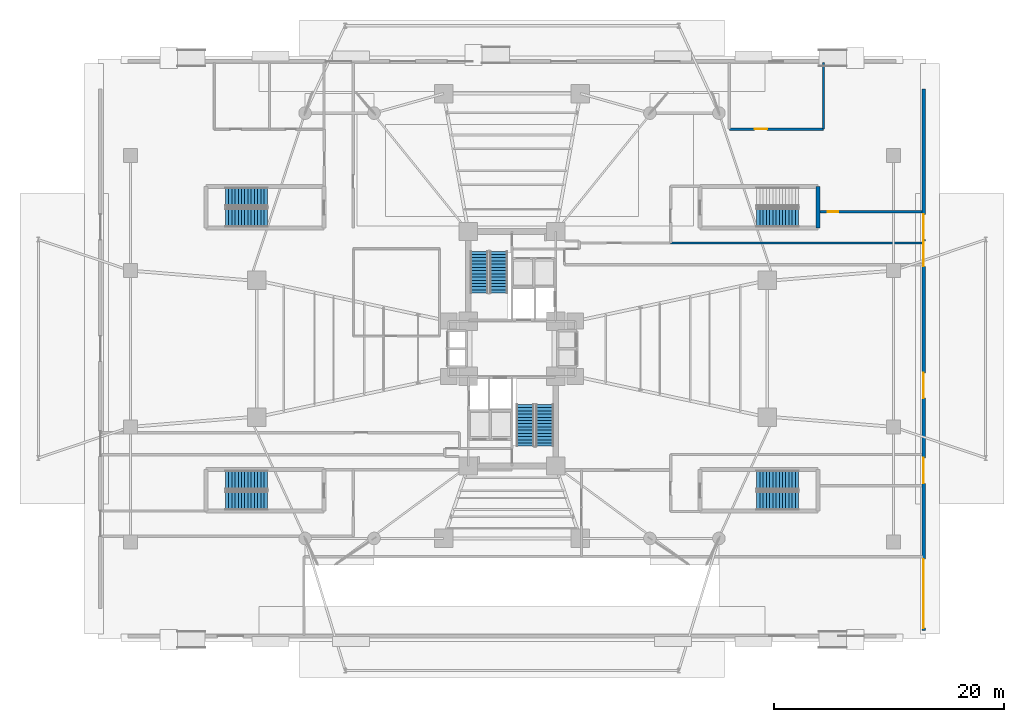
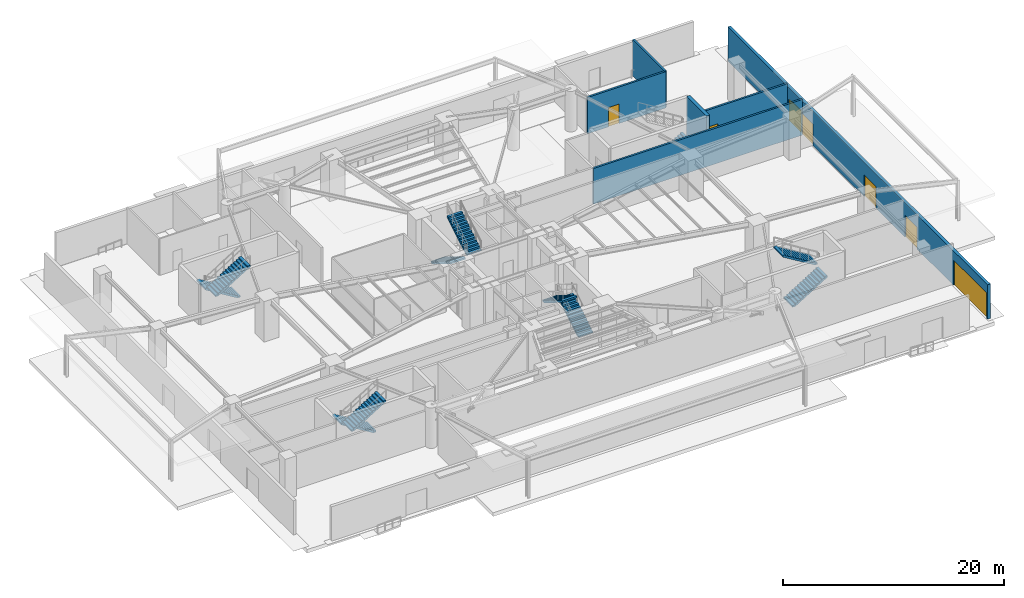
# One storey, part 20 of 31: 11 stair flights, 7 doors, 6 walls, 7 openings, 6 elements without a shape of their own.
"""IFC4 building model written with IfcOpenShell, lengths in metres."""

from ifc_helpers import new_model, si_unit, direction, frame, frame_2d, origin, origin_2d, place, context, subcontext, project, spatial, polyline, rectangle, outline, extrude, source, transform, mapped, material, layer, layer_set, type_object, element, fill, aggregate, save


model = new_model("IFC4")

# Units and contexts
model_context = context("Model", 3, precision=1e-05, world=origin(), true_north=direction((0.0, 1.0)))
body_context = subcontext(model_context, "Body", "Model", "MODEL_VIEW")
ifc_project = project(units=[si_unit("LENGTHUNIT", "METRE"), si_unit("AREAUNIT", "SQUARE_METRE"), si_unit("VOLUMEUNIT", "CUBIC_METRE"), si_unit("PLANEANGLEUNIT", "RADIAN"), si_unit("MASSUNIT", "GRAM", prefix="KILO")], contexts=[model_context])

# Site, building, storey
site_placement = place(None, origin())
site = spatial("IfcSite", under=ifc_project, at=site_placement, CompositionType="ELEMENT")
building_placement = place(site_placement, origin())
building = spatial("IfcBuilding", under=site, at=building_placement, Name="Sahyath Konkavel Grand Hotel", CompositionType="ELEMENT")
storey_placement = place(building_placement, origin())
storey = spatial("IfcBuildingStorey", under=building, at=storey_placement, Name="L00", CompositionType="ELEMENT", Elevation=0.0)

# Wall
ifc_material_1 = material(Name="Concrete C40/50", Category="concrete")
ifc_layer_1 = layer(ifc_material_1, 0.35009765625)
ifc_layer_set_1 = layer_set([ifc_layer_1], Name="Concrete C40/50")
wall_type_1 = type_object("IfcWallType", Name="CWALL-350", PredefinedType="SHEAR", material=ifc_layer_set_1)
wall_1_placement = place(storey_placement, frame((26.60009765625, 10.52001953125, 0.0), z_axis=(0.0, 0.0, 1.0), x_axis=(0.0, 1.0, 0.0)))
element("IfcWall", 1, at=wall_1_placement, inside=storey, type_object=wall_type_1, Name="L00 Partition ST-P2-E", PredefinedType="SHEAR", context=body_context, shape_type="SweptSolid", body=[
    extrude(rectangle(XDim=3.580078125, YDim=0.35009765625, at=frame_2d((1.7900390625, 0.0))), origin(), (0.0, 0.0, 1.0), 4.47998046875),
])

# Wall, opening, door
ifc_layer_2 = layer(ifc_material_1, 0.199951171875)
ifc_layer_set_2 = layer_set([ifc_layer_2], Name="Concrete C40/50")
wall_type_2 = type_object("IfcWallType", Name="WLL-CORE-200", PredefinedType="SOLIDWALL", material=ifc_layer_set_2)
wall_2_placement = place(storey_placement, frame((18.89990234375, 19.10009765625, 0.0), z_axis=(0.0, 0.0, 1.0), x_axis=(1.0, 0.0, 0.0)))
wall_2 = element("IfcWall", 2, at=wall_2_placement, inside=storey, type_object=wall_type_2, Name="L00 Partition FCC-S", PredefinedType="SOLIDWALL", context=body_context, shape_type="SweptSolid", body=[
    extrude(rectangle(XDim=8.2001953125, YDim=0.199951171875, at=frame_2d((4.10009765625, 0.0))), origin(), (0.0, 0.0, 1.0), 4.030029296875),
])
opening_1_placement = place(wall_2_placement, frame((2.199951171875, 0.0, 0.0)))
opening_1 = element("IfcOpeningElement", 3, at=opening_1_placement, cuts=wall_2, Name="Opening D-F12B", PredefinedType="OPENING", context=body_context, shape_type="SweptSolid", body=[
    extrude(rectangle(XDim=1.10009765625, YDim=2.14990234375, at=frame_2d((0.550048828125, 1.074951171875))), frame((0.0, 0.10986328125, 0.0), z_axis=(0.0, -1.0, 0.0), x_axis=(1.0, 0.0, 0.0)), (0.0, 0.0, 1.0), 0.219970703125),
])
ifc_material_2 = material(Name="Steel E350 Smokeproof Fire Door", Category="steel")
door_type_1 = type_object("IfcDoorType", Name="DR-FD120-1100", OperationType="NOTDEFINED", PredefinedType="DOOR", material=ifc_material_2)
shared_shape_1 = source(origin(), body_context, "Body", "SweptSolid", [
    extrude(rectangle(XDim=1.10009765625, YDim=0.050048828125, at=origin_2d()), origin(), (0.0, 0.0, 1.0), 2.14990234375),
])
door_1_placement = place(opening_1_placement, frame((0.550048828125, 0.0, 0.0)))
door_1 = element("IfcDoor", 4, at=door_1_placement, inside=storey, type_object=door_type_1, Name="L00 Fire Command Centre Interior Door", OperationType="SINGLE_SWING_RIGHT", OverallHeight=2.14990234375, OverallWidth=1.10009765625, PredefinedType="DOOR", context=body_context, shape_type="MappedRepresentation", body=[
    mapped(shared_shape_1, transform((0.0, 0.0, 0.0), scale=1.0)),
])
fill(opening_1, door_1)

# Walls
wall_3_placement = place(storey_placement, frame((27.10009765625, 19.10009765625, 0.0), z_axis=(0.0, 0.0, 1.0), x_axis=(0.0, 1.0, 0.0)))
element("IfcWall", 5, at=wall_3_placement, inside=storey, type_object=wall_type_2, Name="L00 Partition FCC-E", PredefinedType="SOLIDWALL", context=body_context, shape_type="SweptSolid", body=[
    extrude(rectangle(XDim=5.7998046875, YDim=0.199951171875, at=frame_2d((2.89990234375, 0.0))), origin(), (0.0, 0.0, 1.0), 4.030029296875),
])
wall_4_placement = place(storey_placement, frame((13.800048828125, 9.199951171875, 0.0), z_axis=(0.0, 0.0, 1.0), x_axis=(1.0, 0.0, 0.0)))
element("IfcWall", 6, at=wall_4_placement, inside=storey, type_object=wall_type_2, Name="L00 Partition L00-EXP2-S", PredefinedType="SOLIDWALL", context=body_context, shape_type="SweptSolid", body=[
    extrude(rectangle(XDim=21.8798828125, YDim=0.199951171875, at=frame_2d((10.93994140625, 0.0))), origin(), (0.0, 0.0, 1.0), 3.949951171875),
])

# Wall, opening, door
wall_5_placement = place(storey_placement, frame((26.64990234375, 11.919921875, 0.0), z_axis=(0.0, 0.0, 1.0), x_axis=(1.0, 0.0, 0.0)))
wall_5 = element("IfcWall", 7, at=wall_5_placement, inside=storey, type_object=wall_type_2, Name="L00 Partition L00-EXP2-N", PredefinedType="SOLIDWALL", context=body_context, shape_type="SweptSolid", body=[
    extrude(rectangle(XDim=9.030029296875, YDim=0.199951171875, at=frame_2d((4.51513671875, 0.0))), origin(), (0.0, 0.0, 1.0), 4.030029296875),
])
opening_2_placement = place(wall_5_placement, frame((0.800048828125, 0.0, 0.0)))
opening_2 = element("IfcOpeningElement", 8, at=opening_2_placement, cuts=wall_5, Name="Opening D-F12C", PredefinedType="OPENING", context=body_context, shape_type="SweptSolid", body=[
    extrude(rectangle(XDim=0.949951171875, YDim=2.14990234375, at=frame_2d((0.47509765625, 1.074951171875))), frame((0.0, 0.10986328125, 0.0), z_axis=(0.0, -1.0, 0.0), x_axis=(1.0, 0.0, 0.0)), (0.0, 0.0, 1.0), 0.219970703125),
])
ifc_material_3 = material(Name="Steel E350 Plant Fire Door", Category="steel")
door_type_2 = type_object("IfcDoorType", Name="DR-FD120-950", OperationType="NOTDEFINED", PredefinedType="DOOR", material=ifc_material_3)
shared_shape_2 = source(origin(), body_context, "Body", "SweptSolid", [
    extrude(rectangle(XDim=0.949951171875, YDim=0.050048828125, at=origin_2d()), origin(), (0.0, 0.0, 1.0), 2.14990234375),
])
door_2_placement = place(opening_2_placement, frame((0.47509765625, 0.0, 0.0)))
door_2 = element("IfcDoor", 9, at=door_2_placement, inside=storey, type_object=door_type_2, Name="L00 Door L00-CNE-EXP2", OperationType="SINGLE_SWING_LEFT", OverallHeight=2.14990234375, OverallWidth=0.949951171875, PredefinedType="DOOR", context=body_context, shape_type="MappedRepresentation", body=[
    mapped(shared_shape_2, transform((0.0, 0.0, 0.0), scale=1.0)),
])
fill(opening_2, door_2)

# Wall, openings, doors
ifc_material_4 = material(Name="Warm Buff Sandstone Insulated Concrete C40/50", Category="masonry")
ifc_layer_3 = layer(ifc_material_4, 0.300048828125)
ifc_layer_set_3 = layer_set([ifc_layer_3], Name="Warm Buff Sandstone Insulated Concrete C40/50")
wall_type_3 = type_object("IfcWallType", Name="WLL-L00-PORTAL", PredefinedType="STANDARD", material=ifc_layer_set_3)
wall_6_placement = place(storey_placement, frame((35.800048828125, 22.60009765625, 0.0), z_axis=(0.0, 0.0, 1.0), x_axis=(0.0, -1.0, 0.0)))
wall_6 = element("IfcWall", 10, at=wall_6_placement, inside=storey, type_object=wall_type_3, Name="L00 East Transit and Arrival Portal Wall", PredefinedType="STANDARD", context=body_context, shape_type="SweptSolid", body=[
    extrude(rectangle(XDim=47.10009765625, YDim=0.300048828125, at=frame_2d((23.550048828125, 0.0))), origin(), (0.0, 0.0, 1.0), 3.800048828125),
])
opening_3_placement = place(wall_6_placement, frame((10.89990234375, 0.0, 0.0)))
opening_3 = element("IfcOpeningElement", 11, at=opening_3_placement, cuts=wall_6, Name="Opening D-EX22", PredefinedType="OPENING", context=body_context, shape_type="SweptSolid", body=[
    extrude(rectangle(XDim=2.199951171875, YDim=2.39990234375, at=frame_2d((1.10009765625, 1.199951171875))), frame((0.0, 0.16015625, 0.0), z_axis=(0.0, -1.0, 0.0), x_axis=(1.0, 0.0, 0.0)), (0.0, 0.0, 1.0), 0.320068359375),
])
opening_4_placement = place(wall_6_placement, frame((13.239990234375, 0.0, 0.0)))
opening_4 = element("IfcOpeningElement", 12, at=opening_4_placement, cuts=wall_6, Name="Opening D-EX22", PredefinedType="OPENING", context=body_context, shape_type="SweptSolid", body=[
    extrude(rectangle(XDim=2.199951171875, YDim=2.39990234375, at=frame_2d((1.10009765625, 1.199951171875))), frame((0.0, 0.16015625, 0.0), z_axis=(0.0, -1.0, 0.0), x_axis=(1.0, 0.0, 0.0)), (0.0, 0.0, 1.0), 0.320068359375),
])
opening_5_placement = place(wall_6_placement, frame((24.699951171875, 0.0, 0.0)))
opening_5 = element("IfcOpeningElement", 13, at=opening_5_placement, cuts=wall_6, Name="Opening D-EX22", PredefinedType="OPENING", context=body_context, shape_type="SweptSolid", body=[
    extrude(rectangle(XDim=2.199951171875, YDim=2.39990234375, at=frame_2d((1.10009765625, 1.199951171875))), frame((0.0, 0.16015625, 0.0), z_axis=(0.0, -1.0, 0.0), x_axis=(1.0, 0.0, 0.0)), (0.0, 0.0, 1.0), 0.320068359375),
])
opening_6_placement = place(wall_6_placement, frame((32.10009765625, 0.0, 0.0)))
opening_6 = element("IfcOpeningElement", 14, at=opening_6_placement, cuts=wall_6, Name="Opening D-EX22", PredefinedType="OPENING", context=body_context, shape_type="SweptSolid", body=[
    extrude(rectangle(XDim=2.199951171875, YDim=2.39990234375, at=frame_2d((1.10009765625, 1.199951171875))), frame((0.0, 0.16015625, 0.0), z_axis=(0.0, -1.0, 0.0), x_axis=(1.0, 0.0, 0.0)), (0.0, 0.0, 1.0), 0.320068359375),
])
opening_7_placement = place(wall_6_placement, frame((40.89990234375, 0.0, 0.0)))
opening_7 = element("IfcOpeningElement", 15, at=opening_7_placement, cuts=wall_6, Name="Opening D-VS60", PredefinedType="OPENING", context=body_context, shape_type="SweptSolid", body=[
    extrude(rectangle(XDim=6.0, YDim=2.800048828125, at=frame_2d((3.0, 1.39990234375))), frame((0.0, 0.16015625, 0.0), z_axis=(0.0, -1.0, 0.0), x_axis=(1.0, 0.0, 0.0)), (0.0, 0.0, 1.0), 0.320068359375),
])
ifc_material_5 = material(Name="Anodised Bronze Aluminium and Low-E Glazing", Category="aluminium")
door_type_3 = type_object("IfcDoorType", Name="DR-EXIT-2200", OperationType="NOTDEFINED", PredefinedType="DOOR", material=ifc_material_5)
shared_shape_3 = source(origin(), body_context, "Body", "SweptSolid", [
    extrude(rectangle(XDim=2.199951171875, YDim=0.050048828125, at=origin_2d()), origin(), (0.0, 0.0, 1.0), 2.39990234375),
])
door_3_placement = place(opening_3_placement, frame((1.10009765625, 0.0, 0.0)))
door_3 = element("IfcDoor", 16, at=door_3_placement, inside=storey, type_object=door_type_3, Name="L00 East Pedestrian Final Exit Door E1", OperationType="DOUBLE_DOOR_SINGLE_SWING", OverallHeight=2.39990234375, OverallWidth=2.199951171875, PredefinedType="DOOR", context=body_context, shape_type="MappedRepresentation", body=[
    mapped(shared_shape_3, transform((0.0, 0.0, 0.0), scale=1.0)),
])
fill(opening_3, door_3)
door_4_placement = place(opening_4_placement, frame((1.10009765625, 0.0, 0.0)))
door_4 = element("IfcDoor", 17, at=door_4_placement, inside=storey, type_object=door_type_3, Name="L00 East Pedestrian Final Exit Door E2", OperationType="DOUBLE_DOOR_SINGLE_SWING", OverallHeight=2.39990234375, OverallWidth=2.199951171875, PredefinedType="DOOR", context=body_context, shape_type="MappedRepresentation", body=[
    mapped(shared_shape_3, transform((0.0, 0.0, 0.0), scale=1.0)),
])
fill(opening_4, door_4)
door_5_placement = place(opening_5_placement, frame((1.10009765625, 0.0, 0.0)))
door_5 = element("IfcDoor", 18, at=door_5_placement, inside=storey, type_object=door_type_3, Name="L00 East Pedestrian Final Exit Door E3", OperationType="DOUBLE_DOOR_SINGLE_SWING", OverallHeight=2.39990234375, OverallWidth=2.199951171875, PredefinedType="DOOR", context=body_context, shape_type="MappedRepresentation", body=[
    mapped(shared_shape_3, transform((0.0, 0.0, 0.0), scale=1.0)),
])
fill(opening_5, door_5)
door_6_placement = place(opening_6_placement, frame((1.10009765625, 0.0, 0.0)))
door_6 = element("IfcDoor", 19, at=door_6_placement, inside=storey, type_object=door_type_3, Name="L00 East Pedestrian Final Exit Door E4", OperationType="DOUBLE_DOOR_SINGLE_SWING", OverallHeight=2.39990234375, OverallWidth=2.199951171875, PredefinedType="DOOR", context=body_context, shape_type="MappedRepresentation", body=[
    mapped(shared_shape_3, transform((0.0, 0.0, 0.0), scale=1.0)),
])
fill(opening_6, door_6)
ifc_material_6 = material(Name="Steel E350", Category="steel")
door_type_4 = type_object("IfcDoorType", Name="DR-VEH-SHUTTER", OperationType="ROLLINGUP", PredefinedType="DOOR", material=ifc_material_6)
shared_shape_4 = source(origin(), body_context, "Body", "SweptSolid", [
    extrude(rectangle(XDim=6.0, YDim=0.050048828125, at=origin_2d()), origin(), (0.0, 0.0, 1.0), 2.800048828125),
])
door_7_placement = place(opening_7_placement, frame((3.0, 0.0, 0.0)))
door_7 = element("IfcDoor", 20, at=door_7_placement, inside=storey, type_object=door_type_4, Name="L00 Car Park Vehicle Ramp Roller Shutter Gate", OperationType="ROLLINGUP", OverallHeight=2.800048828125, OverallWidth=6.0, PredefinedType="DOOR", context=body_context, shape_type="MappedRepresentation", body=[
    mapped(shared_shape_4, transform((0.0, 0.0, 0.0), scale=1.0)),
])
fill(opening_7, door_7)

# Stair, stair flights
stair_type = type_object("IfcStairType", Name="STR-ST16-480", PredefinedType="HALF_TURN_STAIR", material=ifc_material_1)
stair_1_placement = place(storey_placement, origin())
stair_1 = element("IfcStair", 21, at=stair_1_placement, inside=storey, type_object=stair_type, Name="L00 North Core Smokeproof Exit Stair ST-1", PredefinedType="HALF_TURN_STAIR")
stair_flight_type = type_object("IfcStairFlightType", Name="STF-ST16-480", PredefinedType="STRAIGHT", material=ifc_material_1)
stair_flight_1_placement = place(storey_placement, frame((-2.840087890625, 8.47998046875, 0.0), z_axis=(0.0, 0.0, 1.0), x_axis=(0.0, -1.0, 0.0)))
stair_flight_1 = element("IfcStairFlight", 22, at=stair_flight_1_placement, type_object=stair_flight_type, Name="ST-1 flight 1", NumberOfRisers=14, NumberOfTreads=13, PredefinedType="STRAIGHT", RiserHeight=0.171428571, TreadLength=0.28, context=body_context, shape_type="SweptSolid", body=[
    extrude(outline(polyline([(0.0, 0.0), (0.0, 0.17138671875), (0.280029296875, 0.17138671875), (0.280029296875, 0.3427734375), (0.56005859375, 0.3427734375), (0.56005859375, 0.514404296875), (0.840087890625, 0.514404296875), (0.840087890625, 0.685791015625), (1.1201171875, 0.685791015625), (1.1201171875, 0.857177734375), (1.39990234375, 0.857177734375), (1.39990234375, 1.028564453125), (1.679931640625, 1.028564453125), (1.679931640625, 1.199951171875), (1.9599609375, 1.199951171875), (1.9599609375, 1.371337890625), (2.239990234375, 1.371337890625), (2.239990234375, 1.54296875), (2.52001953125, 1.54296875), (2.52001953125, 1.71435546875), (2.800048828125, 1.71435546875), (2.800048828125, 1.8857421875), (3.080078125, 1.8857421875), (3.080078125, 2.05712890625), (3.360107421875, 2.05712890625), (3.360107421875, 2.228515625), (3.639892578125, 2.228515625), (3.639892578125, 2.39990234375), (3.639892578125, 2.052734375), (0.287109375, 0.0), (0.0, 0.0)])), frame((0.0, 0.760009765625, 0.0), z_axis=(0.0, -1.0, 0.0), x_axis=(1.0, 0.0, 0.0)), (0.0, 0.0, 1.0), 1.52001953125),
])
stair_flight_2_placement = place(storey_placement, frame((-1.159912109375, 4.840087890625, 2.39990234375), z_axis=(0.0, 0.0, 1.0), x_axis=(0.0, 1.0, 0.0)))
stair_flight_2 = element("IfcStairFlight", 23, at=stair_flight_2_placement, type_object=stair_flight_type, Name="ST-1 flight 2", NumberOfRisers=14, NumberOfTreads=13, PredefinedType="STRAIGHT", RiserHeight=0.171428571, TreadLength=0.28, context=body_context, shape_type="SweptSolid", body=[
    extrude(outline(polyline([(0.0, 0.0), (0.0, 0.17138671875), (0.280029296875, 0.17138671875), (0.280029296875, 0.3427734375), (0.56005859375, 0.3427734375), (0.56005859375, 0.514404296875), (0.840087890625, 0.514404296875), (0.840087890625, 0.685791015625), (1.1201171875, 0.685791015625), (1.1201171875, 0.857177734375), (1.39990234375, 0.857177734375), (1.39990234375, 1.028564453125), (1.679931640625, 1.028564453125), (1.679931640625, 1.199951171875), (1.9599609375, 1.199951171875), (1.9599609375, 1.371337890625), (2.239990234375, 1.371337890625), (2.239990234375, 1.54296875), (2.52001953125, 1.54296875), (2.52001953125, 1.71435546875), (2.800048828125, 1.71435546875), (2.800048828125, 1.8857421875), (3.080078125, 1.8857421875), (3.080078125, 2.05712890625), (3.360107421875, 2.05712890625), (3.360107421875, 2.228515625), (3.639892578125, 2.228515625), (3.639892578125, 2.39990234375), (3.639892578125, 2.052734375), (0.287109375, 0.0), (0.0, 0.0)])), frame((0.0, 0.760009765625, 0.0), z_axis=(0.0, -1.0, 0.0), x_axis=(1.0, 0.0, 0.0)), (0.0, 0.0, 1.0), 1.52001953125),
])
aggregate(stair_1, [stair_flight_1, stair_flight_2])

stair_2_placement = place(storey_placement, origin())
stair_2 = element("IfcStair", 24, at=stair_2_placement, inside=storey, type_object=stair_type, Name="L00 South Core Smokeproof Exit Stair ST-2", PredefinedType="HALF_TURN_STAIR")
stair_flight_3_placement = place(storey_placement, frame((2.840087890625, -8.47998046875, 0.0), z_axis=(0.0, 0.0, 1.0), x_axis=(0.0, 1.0, 0.0)))
stair_flight_3 = element("IfcStairFlight", 25, at=stair_flight_3_placement, type_object=stair_flight_type, Name="ST-2 flight 1", NumberOfRisers=14, NumberOfTreads=13, PredefinedType="STRAIGHT", RiserHeight=0.171428571, TreadLength=0.28, context=body_context, shape_type="SweptSolid", body=[
    extrude(outline(polyline([(0.0, 0.0), (0.0, 0.17138671875), (0.280029296875, 0.17138671875), (0.280029296875, 0.3427734375), (0.56005859375, 0.3427734375), (0.56005859375, 0.514404296875), (0.840087890625, 0.514404296875), (0.840087890625, 0.685791015625), (1.1201171875, 0.685791015625), (1.1201171875, 0.857177734375), (1.39990234375, 0.857177734375), (1.39990234375, 1.028564453125), (1.679931640625, 1.028564453125), (1.679931640625, 1.199951171875), (1.9599609375, 1.199951171875), (1.9599609375, 1.371337890625), (2.239990234375, 1.371337890625), (2.239990234375, 1.54296875), (2.52001953125, 1.54296875), (2.52001953125, 1.71435546875), (2.800048828125, 1.71435546875), (2.800048828125, 1.8857421875), (3.080078125, 1.8857421875), (3.080078125, 2.05712890625), (3.360107421875, 2.05712890625), (3.360107421875, 2.228515625), (3.639892578125, 2.228515625), (3.639892578125, 2.39990234375), (3.639892578125, 2.052734375), (0.287109375, 0.0), (0.0, 0.0)])), frame((0.0, 0.760009765625, 0.0), z_axis=(0.0, -1.0, 0.0), x_axis=(1.0, 0.0, 0.0)), (0.0, 0.0, 1.0), 1.52001953125),
])
stair_flight_4_placement = place(storey_placement, frame((1.159912109375, -4.840087890625, 2.39990234375), z_axis=(0.0, 0.0, 1.0), x_axis=(0.0, -1.0, 0.0)))
stair_flight_4 = element("IfcStairFlight", 26, at=stair_flight_4_placement, type_object=stair_flight_type, Name="ST-2 flight 2", NumberOfRisers=14, NumberOfTreads=13, PredefinedType="STRAIGHT", RiserHeight=0.171428571, TreadLength=0.28, context=body_context, shape_type="SweptSolid", body=[
    extrude(outline(polyline([(0.0, 0.0), (0.0, 0.17138671875), (0.280029296875, 0.17138671875), (0.280029296875, 0.3427734375), (0.56005859375, 0.3427734375), (0.56005859375, 0.514404296875), (0.840087890625, 0.514404296875), (0.840087890625, 0.685791015625), (1.1201171875, 0.685791015625), (1.1201171875, 0.857177734375), (1.39990234375, 0.857177734375), (1.39990234375, 1.028564453125), (1.679931640625, 1.028564453125), (1.679931640625, 1.199951171875), (1.9599609375, 1.199951171875), (1.9599609375, 1.371337890625), (2.239990234375, 1.371337890625), (2.239990234375, 1.54296875), (2.52001953125, 1.54296875), (2.52001953125, 1.71435546875), (2.800048828125, 1.71435546875), (2.800048828125, 1.8857421875), (3.080078125, 1.8857421875), (3.080078125, 2.05712890625), (3.360107421875, 2.05712890625), (3.360107421875, 2.228515625), (3.639892578125, 2.228515625), (3.639892578125, 2.39990234375), (3.639892578125, 2.052734375), (0.287109375, 0.0), (0.0, 0.0)])), frame((0.0, 0.760009765625, 0.0), z_axis=(0.0, -1.0, 0.0), x_axis=(1.0, 0.0, 0.0)), (0.0, 0.0, 1.0), 1.52001953125),
])
aggregate(stair_2, [stair_flight_3, stair_flight_4])

stair_3_placement = place(storey_placement, origin())
stair_3 = element("IfcStair", 27, at=stair_3_placement, inside=storey, type_object=stair_type, Name="L00 Podium Protected Exit Stair ST-P1", PredefinedType="HALF_TURN_STAIR")
stair_flight_5_placement = place(storey_placement, frame((-21.2900390625, 13.215087890625, 0.0), z_axis=(0.0, 0.0, 1.0), x_axis=(-1.0, 0.0, 0.0)))
stair_flight_5 = element("IfcStairFlight", 28, at=stair_flight_5_placement, type_object=stair_flight_type, Name="ST-P1 flight 1", NumberOfRisers=14, NumberOfTreads=13, PredefinedType="STRAIGHT", RiserHeight=0.171428571, TreadLength=0.28, context=body_context, shape_type="SweptSolid", body=[
    extrude(outline(polyline([(0.0, 0.0), (0.0, 0.17138671875), (0.280029296875, 0.17138671875), (0.280029296875, 0.3427734375), (0.56005859375, 0.3427734375), (0.56005859375, 0.514404296875), (0.840087890625, 0.514404296875), (0.840087890625, 0.685791015625), (1.1201171875, 0.685791015625), (1.1201171875, 0.857177734375), (1.39990234375, 0.857177734375), (1.39990234375, 1.028564453125), (1.679931640625, 1.028564453125), (1.679931640625, 1.199951171875), (1.9599609375, 1.199951171875), (1.9599609375, 1.371337890625), (2.239990234375, 1.371337890625), (2.239990234375, 1.54296875), (2.52001953125, 1.54296875), (2.52001953125, 1.71435546875), (2.800048828125, 1.71435546875), (2.800048828125, 1.8857421875), (3.080078125, 1.8857421875), (3.080078125, 2.05712890625), (3.360107421875, 2.05712890625), (3.360107421875, 2.228515625), (3.639892578125, 2.228515625), (3.639892578125, 2.39990234375), (3.639892578125, 2.052734375), (0.287109375, 0.0), (0.0, 0.0)])), frame((0.0, 0.824951171875, 0.0), z_axis=(0.0, -1.0, 0.0), x_axis=(1.0, 0.0, 0.0)), (0.0, 0.0, 1.0), 1.64990234375),
])
stair_flight_6_placement = place(storey_placement, frame((-24.929931640625, 11.405029296875, 2.39990234375), z_axis=(0.0, 0.0, 1.0), x_axis=(1.0, 0.0, 0.0)))
stair_flight_6 = element("IfcStairFlight", 29, at=stair_flight_6_placement, type_object=stair_flight_type, Name="ST-P1 flight 2", NumberOfRisers=14, NumberOfTreads=13, PredefinedType="STRAIGHT", RiserHeight=0.171428571, TreadLength=0.28, context=body_context, shape_type="SweptSolid", body=[
    extrude(outline(polyline([(0.0, 0.0), (0.0, 0.17138671875), (0.280029296875, 0.17138671875), (0.280029296875, 0.3427734375), (0.56005859375, 0.3427734375), (0.56005859375, 0.514404296875), (0.840087890625, 0.514404296875), (0.840087890625, 0.685791015625), (1.1201171875, 0.685791015625), (1.1201171875, 0.857177734375), (1.39990234375, 0.857177734375), (1.39990234375, 1.028564453125), (1.679931640625, 1.028564453125), (1.679931640625, 1.199951171875), (1.9599609375, 1.199951171875), (1.9599609375, 1.371337890625), (2.239990234375, 1.371337890625), (2.239990234375, 1.54296875), (2.52001953125, 1.54296875), (2.52001953125, 1.71435546875), (2.800048828125, 1.71435546875), (2.800048828125, 1.8857421875), (3.080078125, 1.8857421875), (3.080078125, 2.05712890625), (3.360107421875, 2.05712890625), (3.360107421875, 2.228515625), (3.639892578125, 2.228515625), (3.639892578125, 2.39990234375), (3.639892578125, 2.052734375), (0.287109375, 0.0), (0.0, 0.0)])), frame((0.0, 0.824951171875, 0.0), z_axis=(0.0, -1.0, 0.0), x_axis=(1.0, 0.0, 0.0)), (0.0, 0.0, 1.0), 1.64990234375),
])
aggregate(stair_3, [stair_flight_5, stair_flight_6])

# Stair, stair flight
stair_4_placement = place(storey_placement, origin())
stair_4 = element("IfcStair", 30, at=stair_4_placement, inside=storey, type_object=stair_type, Name="L00 Podium Protected Exit Stair ST-P2", PredefinedType="HALF_TURN_STAIR")
stair_flight_7_placement = place(storey_placement, frame((21.2900390625, 11.405029296875, 0.0), z_axis=(0.0, 0.0, 1.0), x_axis=(1.0, 0.0, 0.0)))
stair_flight_7 = element("IfcStairFlight", 31, at=stair_flight_7_placement, type_object=stair_flight_type, Name="ST-P2 flight 1", NumberOfRisers=14, NumberOfTreads=13, PredefinedType="STRAIGHT", RiserHeight=0.171428571, TreadLength=0.28, context=body_context, shape_type="SweptSolid", body=[
    extrude(outline(polyline([(0.0, 0.0), (0.0, 0.17138671875), (0.280029296875, 0.17138671875), (0.280029296875, 0.3427734375), (0.56005859375, 0.3427734375), (0.56005859375, 0.514404296875), (0.840087890625, 0.514404296875), (0.840087890625, 0.685791015625), (1.1201171875, 0.685791015625), (1.1201171875, 0.857177734375), (1.39990234375, 0.857177734375), (1.39990234375, 1.028564453125), (1.679931640625, 1.028564453125), (1.679931640625, 1.199951171875), (1.9599609375, 1.199951171875), (1.9599609375, 1.371337890625), (2.239990234375, 1.371337890625), (2.239990234375, 1.54296875), (2.52001953125, 1.54296875), (2.52001953125, 1.71435546875), (2.800048828125, 1.71435546875), (2.800048828125, 1.8857421875), (3.080078125, 1.8857421875), (3.080078125, 2.05712890625), (3.360107421875, 2.05712890625), (3.360107421875, 2.228515625), (3.639892578125, 2.228515625), (3.639892578125, 2.39990234375), (3.639892578125, 2.052734375), (0.287109375, 0.0), (0.0, 0.0)])), frame((0.0, 0.824951171875, 0.0), z_axis=(0.0, -1.0, 0.0), x_axis=(1.0, 0.0, 0.0)), (0.0, 0.0, 1.0), 1.64990234375),
])
aggregate(stair_4, [stair_flight_7])

# Stair, stair flights
stair_5_placement = place(storey_placement, origin())
stair_5 = element("IfcStair", 32, at=stair_5_placement, inside=storey, type_object=stair_type, Name="L00 Podium Protected Exit Stair ST-P3", PredefinedType="HALF_TURN_STAIR")
stair_flight_8_placement = place(storey_placement, frame((-21.2900390625, -11.405029296875, 0.0), z_axis=(0.0, 0.0, 1.0), x_axis=(-1.0, 0.0, 0.0)))
stair_flight_8 = element("IfcStairFlight", 33, at=stair_flight_8_placement, type_object=stair_flight_type, Name="ST-P3 flight 1", NumberOfRisers=14, NumberOfTreads=13, PredefinedType="STRAIGHT", RiserHeight=0.171428571, TreadLength=0.28, context=body_context, shape_type="SweptSolid", body=[
    extrude(outline(polyline([(0.0, 0.0), (0.0, 0.17138671875), (0.280029296875, 0.17138671875), (0.280029296875, 0.3427734375), (0.56005859375, 0.3427734375), (0.56005859375, 0.514404296875), (0.840087890625, 0.514404296875), (0.840087890625, 0.685791015625), (1.1201171875, 0.685791015625), (1.1201171875, 0.857177734375), (1.39990234375, 0.857177734375), (1.39990234375, 1.028564453125), (1.679931640625, 1.028564453125), (1.679931640625, 1.199951171875), (1.9599609375, 1.199951171875), (1.9599609375, 1.371337890625), (2.239990234375, 1.371337890625), (2.239990234375, 1.54296875), (2.52001953125, 1.54296875), (2.52001953125, 1.71435546875), (2.800048828125, 1.71435546875), (2.800048828125, 1.8857421875), (3.080078125, 1.8857421875), (3.080078125, 2.05712890625), (3.360107421875, 2.05712890625), (3.360107421875, 2.228515625), (3.639892578125, 2.228515625), (3.639892578125, 2.39990234375), (3.639892578125, 2.052734375), (0.287109375, 0.0), (0.0, 0.0)])), frame((0.0, 0.824951171875, 0.0), z_axis=(0.0, -1.0, 0.0), x_axis=(1.0, 0.0, 0.0)), (0.0, 0.0, 1.0), 1.64990234375),
])
stair_flight_9_placement = place(storey_placement, frame((-24.929931640625, -13.215087890625, 2.39990234375), z_axis=(0.0, 0.0, 1.0), x_axis=(1.0, 0.0, 0.0)))
stair_flight_9 = element("IfcStairFlight", 34, at=stair_flight_9_placement, type_object=stair_flight_type, Name="ST-P3 flight 2", NumberOfRisers=14, NumberOfTreads=13, PredefinedType="STRAIGHT", RiserHeight=0.171428571, TreadLength=0.28, context=body_context, shape_type="SweptSolid", body=[
    extrude(outline(polyline([(0.0, 0.0), (0.0, 0.17138671875), (0.280029296875, 0.17138671875), (0.280029296875, 0.3427734375), (0.56005859375, 0.3427734375), (0.56005859375, 0.514404296875), (0.840087890625, 0.514404296875), (0.840087890625, 0.685791015625), (1.1201171875, 0.685791015625), (1.1201171875, 0.857177734375), (1.39990234375, 0.857177734375), (1.39990234375, 1.028564453125), (1.679931640625, 1.028564453125), (1.679931640625, 1.199951171875), (1.9599609375, 1.199951171875), (1.9599609375, 1.371337890625), (2.239990234375, 1.371337890625), (2.239990234375, 1.54296875), (2.52001953125, 1.54296875), (2.52001953125, 1.71435546875), (2.800048828125, 1.71435546875), (2.800048828125, 1.8857421875), (3.080078125, 1.8857421875), (3.080078125, 2.05712890625), (3.360107421875, 2.05712890625), (3.360107421875, 2.228515625), (3.639892578125, 2.228515625), (3.639892578125, 2.39990234375), (3.639892578125, 2.052734375), (0.287109375, 0.0), (0.0, 0.0)])), frame((0.0, 0.824951171875, 0.0), z_axis=(0.0, -1.0, 0.0), x_axis=(1.0, 0.0, 0.0)), (0.0, 0.0, 1.0), 1.64990234375),
])
aggregate(stair_5, [stair_flight_8, stair_flight_9])

stair_6_placement = place(storey_placement, origin())
stair_6 = element("IfcStair", 35, at=stair_6_placement, inside=storey, type_object=stair_type, Name="L00 Podium Protected Exit Stair ST-P4", PredefinedType="HALF_TURN_STAIR")
stair_flight_10_placement = place(storey_placement, frame((21.2900390625, -13.215087890625, 0.0), z_axis=(0.0, 0.0, 1.0), x_axis=(1.0, 0.0, 0.0)))
stair_flight_10 = element("IfcStairFlight", 36, at=stair_flight_10_placement, type_object=stair_flight_type, Name="ST-P4 flight 1", NumberOfRisers=14, NumberOfTreads=13, PredefinedType="STRAIGHT", RiserHeight=0.171428571, TreadLength=0.28, context=body_context, shape_type="SweptSolid", body=[
    extrude(outline(polyline([(0.0, 0.0), (0.0, 0.17138671875), (0.280029296875, 0.17138671875), (0.280029296875, 0.3427734375), (0.56005859375, 0.3427734375), (0.56005859375, 0.514404296875), (0.840087890625, 0.514404296875), (0.840087890625, 0.685791015625), (1.1201171875, 0.685791015625), (1.1201171875, 0.857177734375), (1.39990234375, 0.857177734375), (1.39990234375, 1.028564453125), (1.679931640625, 1.028564453125), (1.679931640625, 1.199951171875), (1.9599609375, 1.199951171875), (1.9599609375, 1.371337890625), (2.239990234375, 1.371337890625), (2.239990234375, 1.54296875), (2.52001953125, 1.54296875), (2.52001953125, 1.71435546875), (2.800048828125, 1.71435546875), (2.800048828125, 1.8857421875), (3.080078125, 1.8857421875), (3.080078125, 2.05712890625), (3.360107421875, 2.05712890625), (3.360107421875, 2.228515625), (3.639892578125, 2.228515625), (3.639892578125, 2.39990234375), (3.639892578125, 2.052734375), (0.287109375, 0.0), (0.0, 0.0)])), frame((0.0, 0.824951171875, 0.0), z_axis=(0.0, -1.0, 0.0), x_axis=(1.0, 0.0, 0.0)), (0.0, 0.0, 1.0), 1.64990234375),
])
stair_flight_11_placement = place(storey_placement, frame((24.929931640625, -11.405029296875, 2.39990234375), z_axis=(0.0, 0.0, 1.0), x_axis=(-1.0, 0.0, 0.0)))
stair_flight_11 = element("IfcStairFlight", 37, at=stair_flight_11_placement, type_object=stair_flight_type, Name="ST-P4 flight 2", NumberOfRisers=14, NumberOfTreads=13, PredefinedType="STRAIGHT", RiserHeight=0.171428571, TreadLength=0.28, context=body_context, shape_type="SweptSolid", body=[
    extrude(outline(polyline([(0.0, 0.0), (0.0, 0.17138671875), (0.280029296875, 0.17138671875), (0.280029296875, 0.3427734375), (0.56005859375, 0.3427734375), (0.56005859375, 0.514404296875), (0.840087890625, 0.514404296875), (0.840087890625, 0.685791015625), (1.1201171875, 0.685791015625), (1.1201171875, 0.857177734375), (1.39990234375, 0.857177734375), (1.39990234375, 1.028564453125), (1.679931640625, 1.028564453125), (1.679931640625, 1.199951171875), (1.9599609375, 1.199951171875), (1.9599609375, 1.371337890625), (2.239990234375, 1.371337890625), (2.239990234375, 1.54296875), (2.52001953125, 1.54296875), (2.52001953125, 1.71435546875), (2.800048828125, 1.71435546875), (2.800048828125, 1.8857421875), (3.080078125, 1.8857421875), (3.080078125, 2.05712890625), (3.360107421875, 2.05712890625), (3.360107421875, 2.228515625), (3.639892578125, 2.228515625), (3.639892578125, 2.39990234375), (3.639892578125, 2.052734375), (0.287109375, 0.0), (0.0, 0.0)])), frame((0.0, 0.824951171875, 0.0), z_axis=(0.0, -1.0, 0.0), x_axis=(1.0, 0.0, 0.0)), (0.0, 0.0, 1.0), 1.64990234375),
])
aggregate(stair_6, [stair_flight_10, stair_flight_11])

save(model, "model.ifc")
